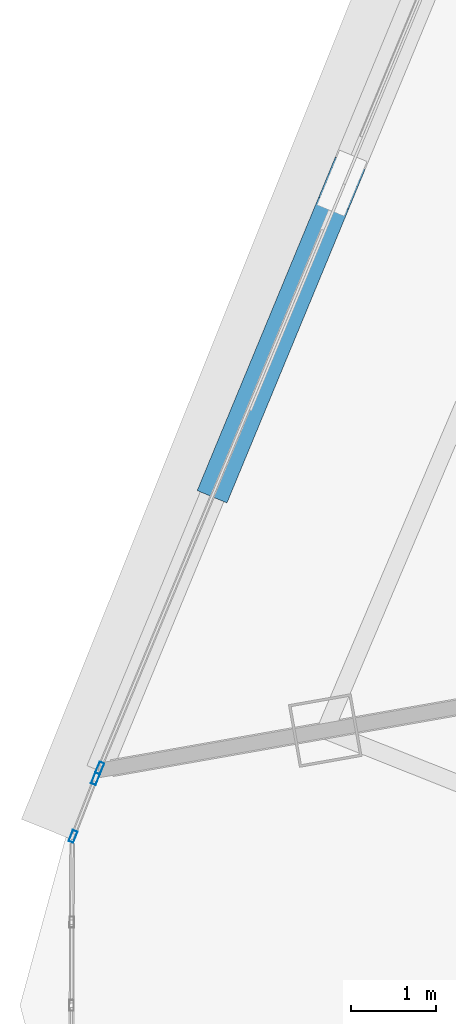
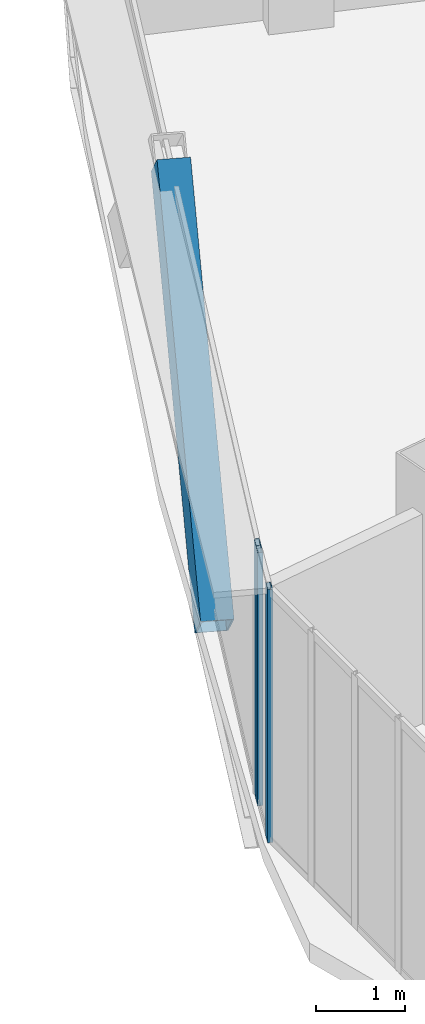
# One storey, part 4 of 40: 4 members, 2 elements without a shape of their own.
"""IFC4 building model written with IfcOpenShell, lengths in metres."""

from ifc_helpers import new_model, si_unit, direction, frame, origin, origin_2d, place, context, subcontext, project, spatial, hollow_rectangle, extrude, source, transform, mapped, material, layer, layer_set, material_profile, profile_set, type_object, element, aggregate, save


model = new_model("IFC4")

# Units and contexts
model_context = context("Model", 3, precision=1e-05, world=origin(), true_north=direction((0.0, 1.0)))
body_context = subcontext(model_context, "Body", "Model", "MODEL_VIEW")
ifc_project = project(units=[si_unit("LENGTHUNIT", "METRE"), si_unit("AREAUNIT", "SQUARE_METRE"), si_unit("VOLUMEUNIT", "CUBIC_METRE"), si_unit("PLANEANGLEUNIT", "RADIAN"), si_unit("MASSUNIT", "GRAM", prefix="KILO"), si_unit("THERMODYNAMICTEMPERATUREUNIT", "KELVIN"), si_unit("POWERUNIT", "WATT")], contexts=[model_context])

# Site, building, storey
site_placement = place(None, origin())
site = spatial("IfcSite", under=ifc_project, at=site_placement, CompositionType="ELEMENT")
building_placement = place(site_placement, origin())
building = spatial("IfcBuilding", under=site, at=building_placement, Name="Yunzhuo Pagoda Commons", CompositionType="ELEMENT")
storey_placement = place(building_placement, frame((0.0, 0.0, 292.47998046875)))
storey = spatial("IfcBuildingStorey", under=building, at=storey_placement, Name="L73", CompositionType="ELEMENT", Elevation=292.47998046875)

# Member
ifc_material_1 = material(Name="Structural steel Q355B", Category="steel")
ifc_material_profile_1 = material_profile(ifc_material_1, hollow_rectangle(XDim=0.3798828125, YDim=0.719970703125, WallThickness=0.02001953125, at=origin_2d()), Name="Structural steel Q355B")
ifc_profile_set_1 = profile_set([ifc_material_profile_1], Name="Structural steel Q355B")
member_type_1 = type_object("IfcMemberType", Name="M-DL3 Brace BOX 720x380x20", PredefinedType="BRACE", material=ifc_profile_set_1)
shared_shape_1 = source(origin(), body_context, "Body", "SweptSolid", [
    extrude(hollow_rectangle(XDim=0.3798828125, YDim=0.719970703125, WallThickness=0.02001953125, at=origin_2d()), origin(), (0.0, 0.0, 1.0), 5.2861328125),
])
member_1_placement = place(storey_placement, frame((18.101318359375, 31.635986328125, -0.260009765625), z_axis=(0.271150627037, 0.654668734159, 0.705610505854), x_axis=(-0.923890529664, 0.38265688181, 0.0)))
element("IfcMember", 1, at=member_1_placement, inside=storey, type_object=member_type_1, Name="L73 facade diamond brace F3.3R", PredefinedType="BRACE", context=body_context, shape_type="MappedRepresentation", body=[
    mapped(shared_shape_1, transform((0.0, 0.0, 0.0), scale=1.0)),
])

# Curtain wall, member
ifc_material_2 = material(Name="Anodized aluminium 6063-T6", Category="aluminium")
ifc_layer = layer(ifc_material_2, 0.139892578125)
ifc_layer_set = layer_set([ifc_layer], Name="Anodized aluminium 6063-T6")
curtain_wall_type = type_object("IfcCurtainWallType", Name="CW-HI High-Zone Ribbon Curtain Wall", PredefinedType="NOTDEFINED", material=ifc_layer_set)
curtain_wall_1_placement = place(storey_placement, origin())
curtain_wall_1 = element("IfcCurtainWall", 2, at=curtain_wall_1_placement, inside=storey, type_object=curtain_wall_type, Name="L73 curtain wall CW-L73-F3B4", PredefinedType="NOTDEFINED")
ifc_material_profile_2 = material_profile(ifc_material_2, hollow_rectangle(XDim=0.06005859375, YDim=0.139892578125, WallThickness=0.00341796875, at=origin_2d()), Name="Anodized aluminium 6063-T6")
ifc_profile_set_2 = profile_set([ifc_material_profile_2], Name="Anodized aluminium 6063-T6")
member_type_2 = type_object("IfcMemberType", Name="CW-HI-M Mullion RHS 140x60x3.5", PredefinedType="MULLION", material=ifc_profile_set_2)
shared_shape_2 = source(origin(), body_context, "Body", "SweptSolid", [
    extrude(hollow_rectangle(XDim=0.06005859375, YDim=0.139892578125, WallThickness=0.00341796875, at=origin_2d()), origin(), (0.0, 0.0, 1.0), 3.4697265625),
])
member_2_placement = place(storey_placement, frame((16.679931640625, 28.203125, 0.000244140625), z_axis=(0.0, 0.0, 1.0), x_axis=(0.923899046183, -0.382636318796, 0.0)))
member_2 = element("IfcMember", 3, at=member_2_placement, type_object=member_type_2, Name="CW mullion 2", PredefinedType="MULLION", context=body_context, shape_type="MappedRepresentation", body=[
    mapped(shared_shape_2, transform((0.0, 0.0, 0.0), scale=1.0)),
])
aggregate(curtain_wall_1, [member_2])

# Curtain wall, members
curtain_wall_2_placement = place(storey_placement, origin())
curtain_wall_2 = element("IfcCurtainWall", 4, at=curtain_wall_2_placement, inside=storey, type_object=curtain_wall_type, Name="L73 curtain wall CW-L73-F3B5", PredefinedType="NOTDEFINED")
member_3_placement = place(storey_placement, frame((16.630126953125, 28.07763671875, 0.000244140625), z_axis=(0.0, 0.0, 1.0), x_axis=(0.931923767987, -0.36265423017, 0.0)))
member_3 = element("IfcMember", 5, at=member_3_placement, type_object=member_type_2, Name="CW mullion 1", PredefinedType="MULLION", context=body_context, shape_type="MappedRepresentation", body=[
    mapped(shared_shape_2, transform((0.0, 0.0, 0.0), scale=1.0)),
])
member_4_placement = place(storey_placement, frame((16.36572265625, 27.398193359375, 0.000244140625), z_axis=(0.0, 0.0, 1.0), x_axis=(0.931923767987, -0.36265423017, 0.0)))
member_4 = element("IfcMember", 6, at=member_4_placement, type_object=member_type_2, Name="CW mullion 2", PredefinedType="MULLION", context=body_context, shape_type="MappedRepresentation", body=[
    mapped(shared_shape_2, transform((0.0, 0.0, 0.0), scale=1.0)),
])
aggregate(curtain_wall_2, [member_3, member_4])

save(model, "model.ifc")
